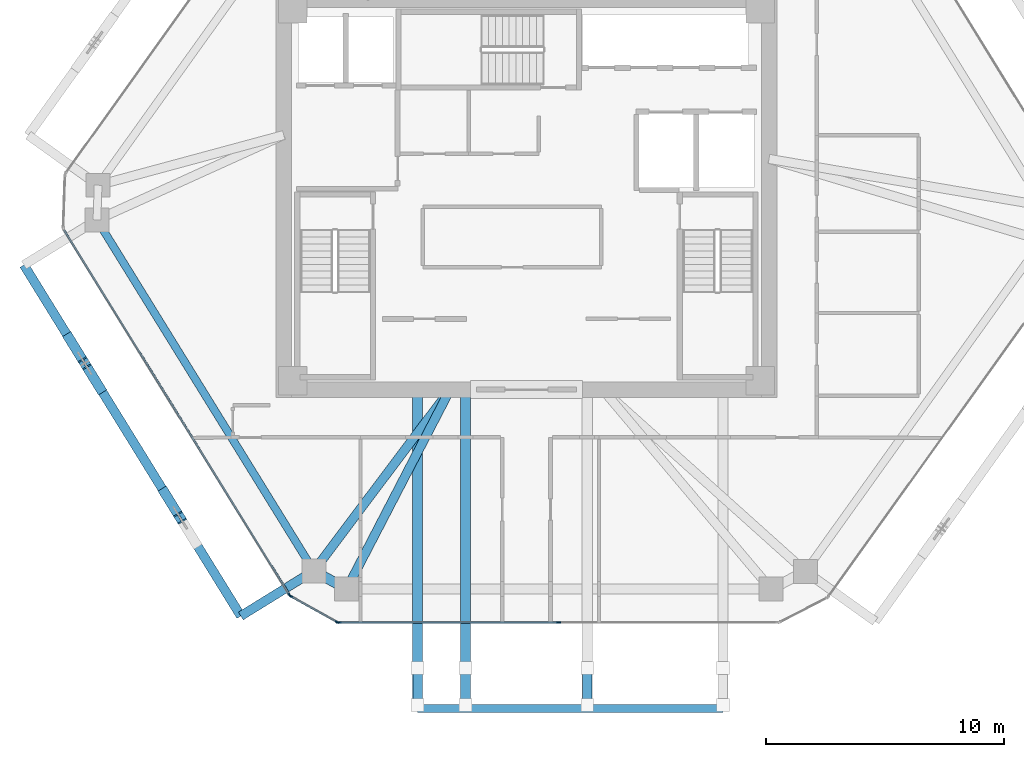
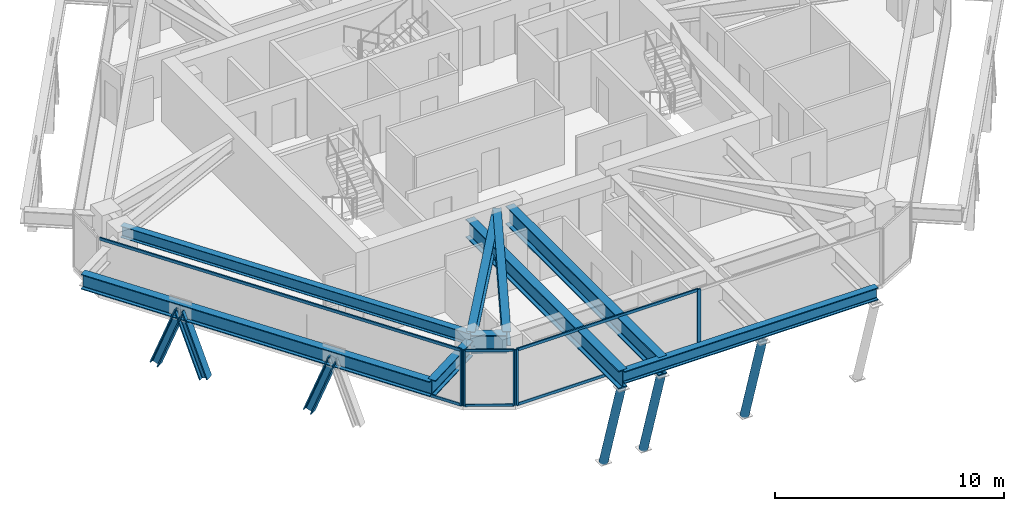
# One storey, part 2 of 14: 17 members, 9 beams, 3 elements without a shape of their own.
"""IFC4 building model written with IfcOpenShell, lengths in metres."""

from ifc_helpers import new_model, si_unit, direction, frame, origin, origin_2d, place, context, subcontext, project, spatial, rectangle, hollow_circle, i_section, extrude, source, transform, mapped, material, layer, layer_set, material_profile, profile_set, type_object, type_shapes, element, aggregate, save


model = new_model("IFC4")

# Units and contexts
model_context = context("Model", 3, precision=1e-05, world=origin(), true_north=direction((0.0, 1.0)))
body_context = subcontext(model_context, "Body", "Model", "MODEL_VIEW")
ifc_project = project(units=[si_unit("LENGTHUNIT", "METRE"), si_unit("AREAUNIT", "SQUARE_METRE"), si_unit("VOLUMEUNIT", "CUBIC_METRE"), si_unit("PLANEANGLEUNIT", "RADIAN"), si_unit("MASSUNIT", "GRAM", prefix="KILO")], contexts=[model_context])

# Site, building, storey
site_placement = place(None, origin())
site = spatial("IfcSite", under=ifc_project, at=site_placement, CompositionType="ELEMENT")
building_placement = place(site_placement, origin())
building = spatial("IfcBuilding", under=site, at=building_placement, Name="Durnholm Broadcast Tower", CompositionType="ELEMENT")
storey_placement = place(building_placement, frame((0.0, 0.0, 159.300048828125)))
storey = spatial("IfcBuildingStorey", under=building, at=storey_placement, Name="L43", CompositionType="ELEMENT", Elevation=159.300048828125)

# Beams
ifc_material_1 = material(Name="Steel ASTM A992 Grade 50", Category="steel")
ifc_material_profile_1 = material_profile(ifc_material_1, i_section(OverallWidth=0.385009765625, OverallDepth=0.802978515625, WebThickness=0.023681640625, FlangeThickness=0.0419921875, FilletRadius=0.032958984375, at=origin_2d()), Name="W30X261")
ifc_profile_set_1 = profile_set([ifc_material_profile_1], Name="Steel ASTM A992 Grade 50")
beam_type_1 = type_object("IfcBeamType", Name="BM-EXO-TIE", PredefinedType="USERDEFINED", material=ifc_profile_set_1)
shared_shape_1 = source(origin(), body_context, "Body", "SweptSolid", [
    extrude(i_section(OverallWidth=0.385009765625, OverallDepth=0.802978515625, WebThickness=0.023681640625, FlangeThickness=0.0419921875, FilletRadius=0.032958984375, at=origin_2d()), origin(), (0.0, 0.0, 1.0), 3.4560546875),
])
beam_1_placement = place(storey_placement, frame((-9.03515625, -15.85205078125, 2.228515625), z_axis=(-0.850693939061, -0.525661318764, 0.0), x_axis=(0.525661318764, -0.850693939061, 0.0)))
element("IfcBeam", 1, at=beam_1_placement, inside=storey, type_object=beam_type_1, Name="L43 exoskeleton stand-off tie bracket F6.2", ObjectType="GIRDER", PredefinedType="USERDEFINED", context=body_context, shape_type="MappedRepresentation", body=[
    mapped(shared_shape_1, transform((0.0, 0.0, 0.0), x_axis=(1.0, 0.0, 0.0), y_axis=(0.0, 1.0, 0.0), z_axis=(0.0, 0.0, 1.0), scale=1.0)),
])
ifc_material_profile_2 = material_profile(ifc_material_1, i_section(OverallWidth=0.3251953125, OverallDepth=0.6162109375, WebThickness=0.013916015625, FlangeThickness=0.021484375, FilletRadius=0.02783203125, at=origin_2d()), Name="W24X117")
ifc_profile_set_2 = profile_set([ifc_material_profile_2], Name="Steel ASTM A992 Grade 50")
beam_type_2 = type_object("IfcBeamType", Name="STL-SP-W24X117", PredefinedType="SPANDREL", material=ifc_profile_set_2)
shared_shape_2 = source(origin(), body_context, "Body", "SweptSolid", [
    extrude(i_section(OverallWidth=0.3251953125, OverallDepth=0.6162109375, WebThickness=0.013916015625, FlangeThickness=0.021484375, FilletRadius=0.02783203125, at=origin_2d()), origin(), (0.0, 0.0, 1.0), 17.3037109375),
])
type_shapes(beam_type_2, [shared_shape_2])
beam_2_placement = place(storey_placement, frame((-8.91259765625, -15.7763671875, 2.65673828125), z_axis=(-0.525695324718, 0.850672925142, 0.0), x_axis=(-0.850672925142, -0.525695324718, 0.0)))
element("IfcBeam", 2, at=beam_2_placement, inside=storey, type_object=beam_type_2, Name="L43 perimeter spandrel girder 01", PredefinedType="SPANDREL", context=body_context, shape_type="MappedRepresentation", body=[
    mapped(shared_shape_2, transform((0.0, 0.0, 0.0), x_axis=(1.0, 0.0, 0.0), y_axis=(0.0, 1.0, 0.0), z_axis=(0.0, 0.0, 1.0), scale=1.0)),
])
shared_shape_3 = source(origin(), body_context, "Body", "SweptSolid", [
    extrude(i_section(OverallWidth=0.385009765625, OverallDepth=0.802978515625, WebThickness=0.023681640625, FlangeThickness=0.0419921875, FilletRadius=0.032958984375, at=origin_2d()), origin(), (0.0, 0.0, 1.0), 17.303466796875),
])
type_shapes(beam_type_1, [shared_shape_1, shared_shape_3])
beam_3_placement = place(storey_placement, frame((-21.071533203125, -2.94921875, 2.228515625), z_axis=(0.525701634347, -0.850669025911, 0.0), x_axis=(0.850669025911, 0.525701634347, 0.0)))
element("IfcBeam", 3, at=beam_3_placement, inside=storey, type_object=beam_type_1, Name="L43 exoskeleton collector spandrel F6", PredefinedType="SPANDREL", context=body_context, shape_type="MappedRepresentation", body=[
    mapped(shared_shape_3, transform((0.0, 0.0, 0.0), x_axis=(1.0, 0.0, 0.0), y_axis=(0.0, 1.0, 0.0), z_axis=(0.0, 0.0, 1.0), scale=1.0)),
])
ifc_material_profile_3 = material_profile(ifc_material_1, i_section(OverallWidth=0.380615234375, OverallDepth=0.773193359375, WebThickness=0.0166015625, FlangeThickness=0.027099609375, FilletRadius=0.032958984375, at=origin_2d()), Name="W30X173")
ifc_profile_set_3 = profile_set([ifc_material_profile_3], Name="Steel ASTM A992 Grade 50")
beam_type_3 = type_object("IfcBeamType", Name="STL-GR-W30X173", PredefinedType="USERDEFINED", material=ifc_profile_set_3)
shared_shape_4 = source(origin(), body_context, "Body", "SweptSolid", [
    extrude(i_section(OverallWidth=0.380615234375, OverallDepth=0.773193359375, WebThickness=0.0166015625, FlangeThickness=0.027099609375, FilletRadius=0.032958984375, at=origin_2d()), origin(), (0.0, 0.0, 1.0), 9.508544921875),
])
beam_4_placement = place(storey_placement, frame((-3.199951171875, -8.175048828125, 2.578369140625), z_axis=(-0.600784359039, -0.799411129479, 0.0), x_axis=(0.799411129479, -0.600784359039, 0.0)))
element("IfcBeam", 4, at=beam_4_placement, inside=storey, type_object=beam_type_3, Name="L43 radial primary floor girder 01", ObjectType="GIRDER", PredefinedType="USERDEFINED", context=body_context, shape_type="MappedRepresentation", body=[
    mapped(shared_shape_4, transform((0.0, 0.0, 0.0), x_axis=(1.0, 0.0, 0.0), y_axis=(0.0, 1.0, 0.0), z_axis=(0.0, 0.0, 1.0), scale=1.0)),
])
shared_shape_5 = source(origin(), body_context, "Body", "SweptSolid", [
    extrude(i_section(OverallWidth=0.380615234375, OverallDepth=0.773193359375, WebThickness=0.0166015625, FlangeThickness=0.027099609375, FilletRadius=0.032958984375, at=origin_2d()), origin(), (0.0, 0.0, 1.0), 9.42529296875),
])
type_shapes(beam_type_3, [shared_shape_4, shared_shape_5])
beam_5_placement = place(storey_placement, frame((-3.199951171875, -8.175048828125, 2.578369140625), z_axis=(-0.460416206992, -0.887703169048, 0.0), x_axis=(0.887703169048, -0.460416206992, 0.0)))
element("IfcBeam", 5, at=beam_5_placement, inside=storey, type_object=beam_type_3, Name="L43 radial primary floor girder 12", ObjectType="GIRDER", PredefinedType="USERDEFINED", context=body_context, shape_type="MappedRepresentation", body=[
    mapped(shared_shape_5, transform((0.0, 0.0, 0.0), x_axis=(1.0, 0.0, 0.0), y_axis=(0.0, 1.0, 0.0), z_axis=(0.0, 0.0, 1.0), scale=1.0)),
])
ifc_material_profile_4 = material_profile(ifc_material_1, i_section(OverallWidth=0.427490234375, OverallDepth=0.9755859375, WebThickness=0.031005859375, FlangeThickness=0.055908203125, FilletRadius=0.0380859375, at=origin_2d()), Name="W36X395")
ifc_profile_set_4 = profile_set([ifc_material_profile_4], Name="Steel ASTM A992 Grade 50")
beam_type_4 = type_object("IfcBeamType", Name="STL-GR-W36X395", PredefinedType="USERDEFINED", material=ifc_profile_set_4)
shared_shape_6 = source(origin(), body_context, "Body", "SweptSolid", [
    extrude(i_section(OverallWidth=0.427490234375, OverallDepth=0.9755859375, WebThickness=0.031005859375, FlangeThickness=0.055908203125, FilletRadius=0.0380859375, at=origin_2d()), origin(), (0.0, 0.0, 1.0), 1.572021484375),
])
type_shapes(beam_type_4, [shared_shape_6])
beam_6_placement = place(storey_placement, frame((-7.53955078125, -16.5419921875, 2.422119140625), z_axis=(-0.873394362663, 0.487013641769, 0.0), x_axis=(-0.487013641769, -0.873394362663, 0.0)))
element("IfcBeam", 6, at=beam_6_placement, inside=storey, type_object=beam_type_4, Name="L43 sky-pool south fulcrum spandrel girder 12", PredefinedType="SPANDREL", context=body_context, shape_type="MappedRepresentation", body=[
    mapped(shared_shape_6, transform((0.0, 0.0, 0.0), x_axis=(1.0, 0.0, 0.0), y_axis=(0.0, 1.0, 0.0), z_axis=(0.0, 0.0, 1.0), scale=1.0)),
])
ifc_material_profile_5 = material_profile(ifc_material_1, i_section(OverallWidth=0.427490234375, OverallDepth=0.9755859375, WebThickness=0.031005859375, FlangeThickness=0.055908203125, FilletRadius=0.0380859375, at=origin_2d()), Name="W36X395")
ifc_profile_set_5 = profile_set([ifc_material_profile_5], Name="Steel ASTM A992 Grade 50")
beam_type_5 = type_object("IfcBeamType", Name="BM-POOL-CANT", PredefinedType="USERDEFINED", material=ifc_profile_set_5)
shared_shape_7 = source(origin(), body_context, "Body", "SweptSolid", [
    extrude(i_section(OverallWidth=0.427490234375, OverallDepth=0.9755859375, WebThickness=0.031005859375, FlangeThickness=0.055908203125, FilletRadius=0.0380859375, at=origin_2d()), origin(), (0.0, 0.0, 1.0), 13.366943359375),
])
type_shapes(beam_type_5, [shared_shape_7])
for number, where, z_axis, x_axis, name in (
    (7, (-4.56103515625, -8.175048828125, 2.422119140625), (0.0, -1.0, 0.0), (1.0, 0.0, 0.0), "L44 continuous back-spanned sky-pool cantilever girder 1"),
    (8, (-2.550048828125, -8.175048828125, 2.422119140625), (0.0, -1.0, 0.0), (1.0, 0.0, 0.0), "L44 continuous back-spanned sky-pool cantilever girder 2"),
):
    element("IfcBeam", number, at=place(storey_placement, frame(where, z_axis=z_axis, x_axis=x_axis)), inside=storey, type_object=beam_type_5, Name=name, ObjectType="GIRDER", PredefinedType="USERDEFINED", context=body_context, shape_type="MappedRepresentation", body=[
        mapped(shared_shape_7, transform((0.0, 0.0, 0.0), x_axis=(1.0, 0.0, 0.0), y_axis=(0.0, 1.0, 0.0), z_axis=(0.0, 0.0, 1.0), scale=1.0)),
    ])

# Members
ifc_material_2 = material(Name="Steel ASTM A500 Grade C", Category="steel")
ifc_material_profile_6 = material_profile(ifc_material_2, hollow_circle(Radius=0.203125, WallThickness=0.01171875, at=origin_2d()), Name="HSS16.000X0.500")
ifc_profile_set_6 = profile_set([ifc_material_profile_6], Name="Steel ASTM A500 Grade C")
member_type_1 = type_object("IfcMemberType", Name="STL-OS-CHS16", PredefinedType="STRUT", material=ifc_profile_set_6)
shared_shape_8 = source(origin(), body_context, "Body", "SweptSolid", [
    extrude(hollow_circle(Radius=0.203125, WallThickness=0.01171875, at=origin_2d()), origin(), (0.0, 0.0, 1.0), 5.126220703125),
])
type_shapes(member_type_1, [shared_shape_8])
for number, where, z_axis, x_axis, name in (
    (9, (-4.56103515625, -19.85205078125, -3.007080078125), (0.0, -0.302377905819, 0.953188125226), (1.0, 0.0, 0.0), "L43 sky-pool compression support member 1"),
    (10, (-2.550048828125, -19.85205078125, -3.007080078125), (0.0, -0.302377905819, 0.953188125226), (1.0, 0.0, 0.0), "L43 sky-pool compression support member 2"),
    (11, (2.550048828125, -19.85205078125, -3.007080078125), (0.0, -0.302377905819, 0.953188125226), (1.0, 0.0, 0.0), "L43 sky-pool compression support member 3"),
):
    element("IfcMember", number, at=place(storey_placement, frame(where, z_axis=z_axis, x_axis=x_axis)), inside=storey, type_object=member_type_1, Name=name, PredefinedType="STRUT", context=body_context, shape_type="MappedRepresentation", body=[
        mapped(shared_shape_8, transform((0.0, 0.0, 0.0), x_axis=(1.0, 0.0, 0.0), y_axis=(0.0, 1.0, 0.0), z_axis=(0.0, 0.0, 1.0), scale=1.0)),
    ])

# Beam
ifc_material_profile_7 = material_profile(ifc_material_1, i_section(OverallWidth=0.3330078125, OverallDepth=0.660888671875, WebThickness=0.0244140625, FlangeThickness=0.0439453125, FilletRadius=0.02783203125, at=origin_2d()), Name="W24X229")
ifc_profile_set_7 = profile_set([ifc_material_profile_7], Name="Steel ASTM A992 Grade 50")
beam_type_6 = type_object("IfcBeamType", Name="STL-SP-W24X229", PredefinedType="SPANDREL", material=ifc_profile_set_7)
shared_shape_9 = source(origin(), body_context, "Body", "SweptSolid", [
    extrude(i_section(OverallWidth=0.3330078125, OverallDepth=0.660888671875, WebThickness=0.0244140625, FlangeThickness=0.0439453125, FilletRadius=0.02783203125, at=origin_2d()), origin(), (0.0, 0.0, 1.0), 12.800048828125),
])
type_shapes(beam_type_6, [shared_shape_9])
beam_7_placement = place(storey_placement, frame((-4.56103515625, -21.5419921875, 2.579345703125), z_axis=(1.0, 0.0, 0.0), x_axis=(0.0, 1.0, 0.0)))
element("IfcBeam", 12, at=beam_7_placement, inside=storey, type_object=beam_type_6, Name="L44 cantilevered sky-pool tip header spandrel", PredefinedType="SPANDREL", context=body_context, shape_type="MappedRepresentation", body=[
    mapped(shared_shape_9, transform((0.0, 0.0, 0.0), x_axis=(1.0, 0.0, 0.0), y_axis=(0.0, 1.0, 0.0), z_axis=(0.0, 0.0, 1.0), scale=1.0)),
])

# Members
ifc_material_3 = material(Name="Steel ASTM A913 Grade 65", Category="steel")
ifc_material_profile_8 = material_profile(ifc_material_3, i_section(OverallWidth=0.412109375, OverallDepth=0.434814453125, WebThickness=0.035888671875, FlangeThickness=0.057373046875, FilletRadius=0.030517578125, at=origin_2d()), Name="W14X311")
ifc_profile_set_8 = profile_set([ifc_material_profile_8], Name="Steel ASTM A913 Grade 65")
member_type_2 = type_object("IfcMemberType", Name="STL-DG-W14X311", PredefinedType="BRACE", material=ifc_profile_set_8)
shared_shape_10 = source(origin(), body_context, "Body", "SweptSolid", [
    extrude(i_section(OverallWidth=0.412109375, OverallDepth=0.434814453125, WebThickness=0.035888671875, FlangeThickness=0.057373046875, FilletRadius=0.030517578125, at=origin_2d()), origin(), (0.0, 0.0, 1.0), 3.4482421875),
])
type_shapes(member_type_2, [shared_shape_10])
for number, where, z_axis, x_axis, name in (
    (13, (-19.173095703125, -6.021240234375, -0.991455078125), (0.188117912139, -0.304372941018, 0.933792677155), (0.850644447398, 0.525741404219, 0.0), "L43 stand-off diagrid brace F6.D1.1"),
    (14, (-17.8759765625, -8.120361328125, -0.991455078125), (-0.18804961543, 0.304376994253, 0.933805112165), (-0.850732935913, -0.525598203719, 0.0), "L43 stand-off diagrid brace F6.D1.2"),
    (15, (-15.170654296875, -12.497802734375, -0.991455078125), (0.18804961543, -0.304376994253, 0.933805112165), (0.850732935913, 0.525598203719, 0.0), "L43 stand-off diagrid brace F6.D2.1"),
):
    element("IfcMember", number, at=place(storey_placement, frame(where, z_axis=z_axis, x_axis=x_axis)), inside=storey, type_object=member_type_2, Name=name, PredefinedType="BRACE", context=body_context, shape_type="MappedRepresentation", body=[
        mapped(shared_shape_10, transform((0.0, 0.0, 0.0), x_axis=(1.0, 0.0, 0.0), y_axis=(0.0, 1.0, 0.0), z_axis=(0.0, 0.0, 1.0), scale=1.0)),
    ])

# Curtain wall, members
ifc_material_4 = material(Name="Aluminium and Solar Control IGU", Category="aluminium")
ifc_layer_1 = layer(ifc_material_4, 0.1650390625)
ifc_layer_set_1 = layer_set([ifc_layer_1], Name="Aluminium and Solar Control IGU")
curtain_wall_type_1 = type_object("IfcCurtainWallType", Name="CW-SYS-5", PredefinedType="NOTDEFINED", material=ifc_layer_set_1)
curtain_wall_1_placement = place(storey_placement, origin())
curtain_wall_1 = element("IfcCurtainWall", 16, at=curtain_wall_1_placement, inside=storey, type_object=curtain_wall_type_1, Name="L43 curtain wall CW-CORNER CW-L43-CRN-11", PredefinedType="NOTDEFINED")
ifc_material_5 = material(Name="Aluminium 6063-T6", Category="aluminium")
ifc_material_profile_9 = material_profile(ifc_material_5, rectangle(XDim=0.06494140625, YDim=0.1298828125, at=origin_2d()), Name="CWT65X130")
ifc_profile_set_9 = profile_set([ifc_material_profile_9], Name="Aluminium 6063-T6")
member_type_3 = type_object("IfcMemberType", Name="CW-SYS-5-TRN", PredefinedType="USERDEFINED", material=ifc_profile_set_9)
shared_shape_11 = source(origin(), body_context, "Body", "SweptSolid", [
    extrude(rectangle(XDim=0.06494140625, YDim=0.1298828125, at=origin_2d()), origin(), (0.0, 0.0, 1.0), 2.169921875),
])
type_shapes(member_type_3, [shared_shape_11])
member_1_placement = place(storey_placement, frame((-7.960205078125, -17.910400390625, 0.032470703125), z_axis=(-0.873381360539, 0.487036958621, 0.0), x_axis=(-0.487036958621, -0.873381360539, 0.0)))
member_1 = element("IfcMember", 17, at=member_1_placement, type_object=member_type_3, Name="CW-CORNER transom 1.1", ObjectType="TRANSOM", PredefinedType="USERDEFINED", context=body_context, shape_type="MappedRepresentation", body=[
    mapped(shared_shape_11, transform((0.0, 0.0, 0.0), x_axis=(1.0, 0.0, 0.0), y_axis=(0.0, 1.0, 0.0), z_axis=(0.0, 0.0, 1.0), scale=1.0)),
])
member_2_placement = place(storey_placement, frame((-7.960205078125, -17.910400390625, 2.947509765625), z_axis=(-0.873381360539, 0.487036958621, 0.0), x_axis=(-0.487036958621, -0.873381360539, 0.0)))
member_2 = element("IfcMember", 18, at=member_2_placement, type_object=member_type_3, Name="CW-CORNER transom 1.2", ObjectType="TRANSOM", PredefinedType="USERDEFINED", context=body_context, shape_type="MappedRepresentation", body=[
    mapped(shared_shape_11, transform((0.0, 0.0, 0.0), x_axis=(1.0, 0.0, 0.0), y_axis=(0.0, 1.0, 0.0), z_axis=(0.0, 0.0, 1.0), scale=1.0)),
])
ifc_material_profile_10 = material_profile(ifc_material_5, rectangle(XDim=0.06494140625, YDim=0.1650390625, at=origin_2d()), Name="CWM65X165")
ifc_profile_set_10 = profile_set([ifc_material_profile_10], Name="Aluminium 6063-T6")
member_type_4 = type_object("IfcMemberType", Name="CW-SYS-5-MUL", PredefinedType="MULLION", material=ifc_profile_set_10)
shared_shape_12 = source(origin(), body_context, "Body", "SweptSolid", [
    extrude(rectangle(XDim=0.06494140625, YDim=0.1650390625, at=origin_2d()), origin(), (0.0, 0.0, 1.0), 2.97998046875),
])
type_shapes(member_type_4, [shared_shape_12])
member_3_placement = place(storey_placement, frame((-7.931884765625, -17.92626953125, 0.0), z_axis=(0.0, 0.0, 1.0), x_axis=(-0.486986043316, -0.873409751271, 0.0)))
member_3 = element("IfcMember", 19, at=member_3_placement, type_object=member_type_4, Name="CW-CORNER mullion 1", PredefinedType="MULLION", context=body_context, shape_type="MappedRepresentation", body=[
    mapped(shared_shape_12, transform((0.0, 0.0, 0.0), x_axis=(1.0, 0.0, 0.0), y_axis=(0.0, 1.0, 0.0), z_axis=(0.0, 0.0, 1.0), scale=1.0)),
])
member_4_placement = place(storey_placement, frame((-9.884033203125, -16.837646484375, 0.0), z_axis=(0.0, 0.0, 1.0), x_axis=(-0.486986043316, -0.873409751271, 0.0)))
member_4 = element("IfcMember", 20, at=member_4_placement, type_object=member_type_4, Name="CW-CORNER mullion 2", PredefinedType="MULLION", context=body_context, shape_type="MappedRepresentation", body=[
    mapped(shared_shape_12, transform((0.0, 0.0, 0.0), x_axis=(1.0, 0.0, 0.0), y_axis=(0.0, 1.0, 0.0), z_axis=(0.0, 0.0, 1.0), scale=1.0)),
])
aggregate(curtain_wall_1, [member_3, member_4, member_1, member_2])

ifc_layer_2 = layer(ifc_material_4, 0.18994140625)
ifc_layer_set_2 = layer_set([ifc_layer_2], Name="Aluminium and Solar Control IGU")
curtain_wall_type_2 = type_object("IfcCurtainWallType", Name="CW-SYS-4", PredefinedType="NOTDEFINED", material=ifc_layer_set_2)
curtain_wall_2_placement = place(storey_placement, origin())
curtain_wall_2 = element("IfcCurtainWall", 21, at=curtain_wall_2_placement, inside=storey, type_object=curtain_wall_type_2, Name="L43 curtain wall CW-Z34-VIS CW-L43-F10", PredefinedType="NOTDEFINED")
ifc_material_profile_11 = material_profile(ifc_material_5, rectangle(XDim=0.070068359375, YDim=0.18994140625, at=origin_2d()), Name="CWM70X190")
ifc_profile_set_11 = profile_set([ifc_material_profile_11], Name="Aluminium 6063-T6")
member_type_5 = type_object("IfcMemberType", Name="CW-SYS-4-MUL", PredefinedType="MULLION", material=ifc_profile_set_11)
shared_shape_13 = source(origin(), body_context, "Body", "SweptSolid", [
    extrude(rectangle(XDim=0.070068359375, YDim=0.18994140625, at=origin_2d()), origin(), (0.0, 0.0, 1.0), 2.97998046875),
])
type_shapes(member_type_5, [shared_shape_13])
member_5_placement = place(storey_placement, frame((1.345947265625, -17.94189453125, 0.0), z_axis=(0.0, 0.0, 1.0), x_axis=(0.0, -1.0, 0.0)))
member_5 = element("IfcMember", 22, at=member_5_placement, type_object=member_type_5, Name="CW-Z34-VIS mullion 2", PredefinedType="MULLION", context=body_context, shape_type="MappedRepresentation", body=[
    mapped(shared_shape_13, transform((0.0, 0.0, 0.0), x_axis=(1.0, 0.0, 0.0), y_axis=(0.0, 1.0, 0.0), z_axis=(0.0, 0.0, 1.0), scale=1.0)),
])
member_6_placement = place(storey_placement, frame((-7.868408203125, -17.94189453125, 0.0), z_axis=(0.0, 0.0, 1.0), x_axis=(0.0, -1.0, 0.0)))
member_6 = element("IfcMember", 23, at=member_6_placement, type_object=member_type_5, Name="CW-Z34-VIS mullion 3", PredefinedType="MULLION", context=body_context, shape_type="MappedRepresentation", body=[
    mapped(shared_shape_13, transform((0.0, 0.0, 0.0), x_axis=(1.0, 0.0, 0.0), y_axis=(0.0, 1.0, 0.0), z_axis=(0.0, 0.0, 1.0), scale=1.0)),
])

# Curtain wall, member
curtain_wall_3_placement = place(storey_placement, origin())
curtain_wall_3 = element("IfcCurtainWall", 24, at=curtain_wall_3_placement, inside=storey, type_object=curtain_wall_type_2, Name="L43 curtain wall CW-Z34-VIS CW-L43-F12", PredefinedType="NOTDEFINED")
member_7_placement = place(storey_placement, frame((-9.9306640625, -16.792236328125, 0.0), z_axis=(0.0, 0.0, 1.0), x_axis=(-0.850671426092, -0.525697750452, 0.0)))
member_7 = element("IfcMember", 25, at=member_7_placement, type_object=member_type_5, Name="CW-Z34-VIS mullion 1", PredefinedType="MULLION", context=body_context, shape_type="MappedRepresentation", body=[
    mapped(shared_shape_13, transform((0.0, 0.0, 0.0), x_axis=(1.0, 0.0, 0.0), y_axis=(0.0, 1.0, 0.0), z_axis=(0.0, 0.0, 1.0), scale=1.0)),
])

# Member
ifc_material_profile_12 = material_profile(ifc_material_5, rectangle(XDim=0.070068359375, YDim=0.14990234375, at=origin_2d()), Name="CWT70X150")
ifc_profile_set_12 = profile_set([ifc_material_profile_12], Name="Aluminium 6063-T6")
member_type_6 = type_object("IfcMemberType", Name="CW-SYS-4-TRN", PredefinedType="USERDEFINED", material=ifc_profile_set_12)
shared_shape_14 = source(origin(), body_context, "Body", "SweptSolid", [
    extrude(rectangle(XDim=0.070068359375, YDim=0.14990234375, at=origin_2d()), origin(), (0.0, 0.0, 1.0), 9.14453125),
])
member_8_placement = place(storey_placement, frame((1.31103515625, -17.94189453125, 0.034912109375), z_axis=(-1.0, 0.0, 0.0), x_axis=(0.0, -1.0, 0.0)))
member_8 = element("IfcMember", 26, at=member_8_placement, type_object=member_type_6, Name="CW-Z34-VIS transom 2.1", ObjectType="TRANSOM", PredefinedType="USERDEFINED", context=body_context, shape_type="MappedRepresentation", body=[
    mapped(shared_shape_14, transform((0.0, 0.0, 0.0), x_axis=(1.0, 0.0, 0.0), y_axis=(0.0, 1.0, 0.0), z_axis=(0.0, 0.0, 1.0), scale=1.0)),
])

member_9_placement = place(storey_placement, frame((1.31103515625, -17.94189453125, 2.945068359375), z_axis=(-1.0, 0.0, 0.0), x_axis=(0.0, -1.0, 0.0)))
member_9 = element("IfcMember", 27, at=member_9_placement, type_object=member_type_6, Name="CW-Z34-VIS transom 2.2", ObjectType="TRANSOM", PredefinedType="USERDEFINED", context=body_context, shape_type="MappedRepresentation", body=[
    mapped(shared_shape_14, transform((0.0, 0.0, 0.0), x_axis=(1.0, 0.0, 0.0), y_axis=(0.0, 1.0, 0.0), z_axis=(0.0, 0.0, 1.0), scale=1.0)),
])

aggregate(curtain_wall_2, [member_5, member_6, member_8, member_9])

shared_shape_15 = source(origin(), body_context, "Body", "SweptSolid", [
    extrude(rectangle(XDim=0.070068359375, YDim=0.14990234375, at=origin_2d()), origin(), (0.0, 0.0, 1.0), 17.951171875),
])
type_shapes(member_type_6, [shared_shape_14, shared_shape_15])
member_10_placement = place(storey_placement, frame((-9.94921875, -16.762451171875, 0.034912109375), z_axis=(-0.525693813807, 0.850673858847, 0.0), x_axis=(-0.850673858847, -0.525693813807, 0.0)))
member_10 = element("IfcMember", 28, at=member_10_placement, type_object=member_type_6, Name="CW-Z34-VIS transom 1.1", ObjectType="TRANSOM", PredefinedType="USERDEFINED", context=body_context, shape_type="MappedRepresentation", body=[
    mapped(shared_shape_15, transform((0.0, 0.0, 0.0), x_axis=(1.0, 0.0, 0.0), y_axis=(0.0, 1.0, 0.0), z_axis=(0.0, 0.0, 1.0), scale=1.0)),
])

member_11_placement = place(storey_placement, frame((-9.94921875, -16.762451171875, 2.945068359375), z_axis=(-0.525693813807, 0.850673858847, 0.0), x_axis=(-0.850673858847, -0.525693813807, 0.0)))
member_11 = element("IfcMember", 29, at=member_11_placement, type_object=member_type_6, Name="CW-Z34-VIS transom 1.2", ObjectType="TRANSOM", PredefinedType="USERDEFINED", context=body_context, shape_type="MappedRepresentation", body=[
    mapped(shared_shape_15, transform((0.0, 0.0, 0.0), x_axis=(1.0, 0.0, 0.0), y_axis=(0.0, 1.0, 0.0), z_axis=(0.0, 0.0, 1.0), scale=1.0)),
])

aggregate(curtain_wall_3, [member_7, member_10, member_11])

save(model, "model.ifc")
